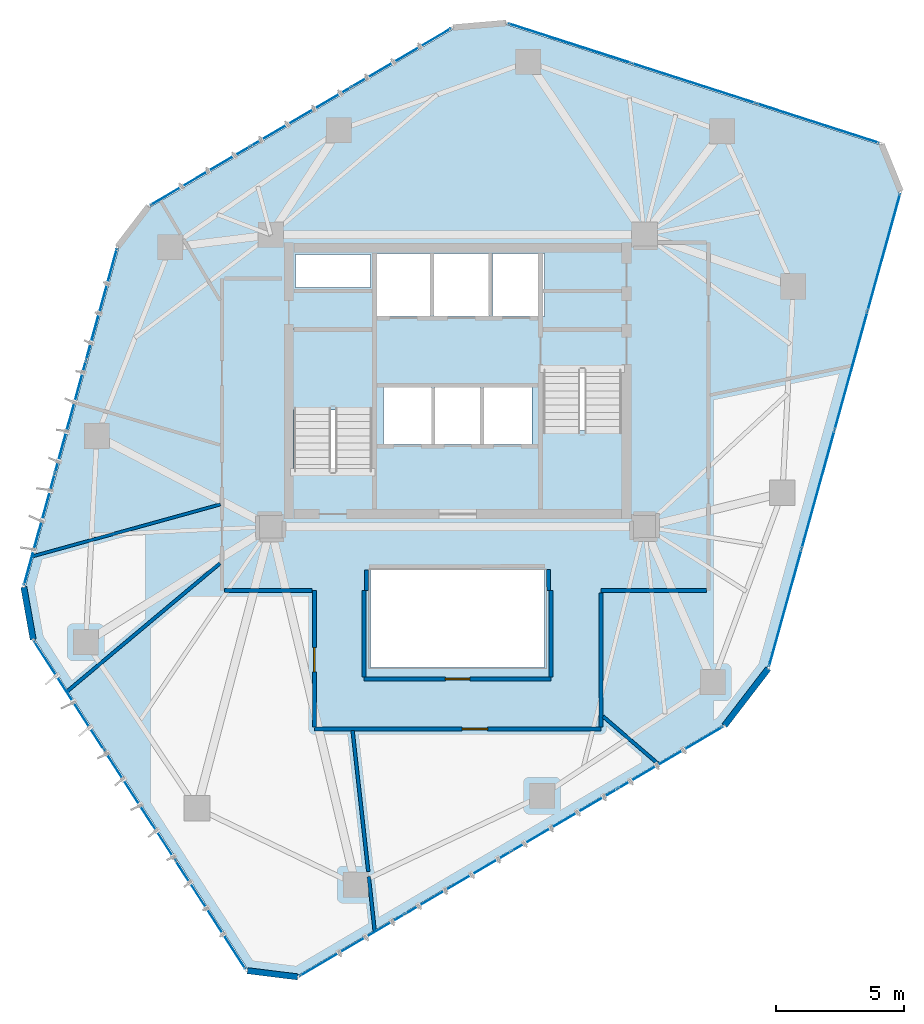
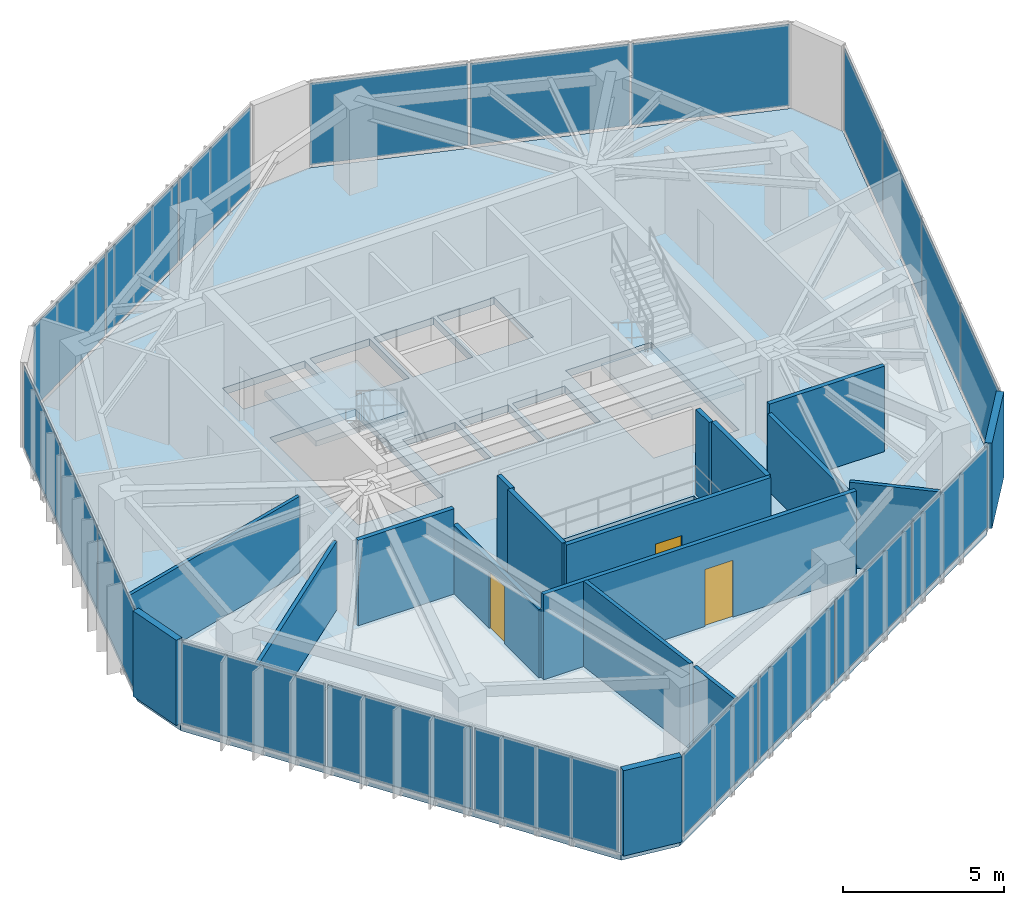
# One storey, part 15 of 19: 20 plates, 18 walls, 3 doors, 3 slabs, 3 openings, 8 elements without a shape of their own.
"""IFC4 building model written with IfcOpenShell, lengths in metres."""

from ifc_helpers import new_model, si_unit, direction, frame, frame_2d, origin, origin_2d, place, context, subcontext, project, spatial, polyline, rectangle, outline, extrude, source, transform, mapped, material, layer, layer_set, type_object, type_shapes, element, fill, aggregate, save


model = new_model("IFC4")

# Units and contexts
model_context = context("Model", 3, precision=1e-05, world=origin(), true_north=direction((0.0, 1.0)))
body_context = subcontext(model_context, "Body", "Model", "MODEL_VIEW")
ifc_project = project(units=[si_unit("LENGTHUNIT", "METRE"), si_unit("AREAUNIT", "SQUARE_METRE"), si_unit("VOLUMEUNIT", "CUBIC_METRE"), si_unit("PLANEANGLEUNIT", "RADIAN"), si_unit("MASSUNIT", "GRAM", prefix="KILO")], contexts=[model_context])

# Site, building, storey
site_placement = place(None, origin())
site = spatial("IfcSite", under=ifc_project, at=site_placement, CompositionType="ELEMENT")
building_placement = place(site_placement, origin())
building = spatial("IfcBuilding", under=site, at=building_placement, Name="Talar Marvaseh", CompositionType="ELEMENT")
storey_placement = place(building_placement, frame((0.0, 0.0, 181.0)))
storey = spatial("IfcBuildingStorey", under=building, at=storey_placement, Name="L47", CompositionType="ELEMENT", Elevation=181.0)

# Stair, slab
ifc_material_1 = material(Name="Concrete C40/50", Category="concrete")
stair_type = type_object("IfcStairType", Name="Reinforced Concrete High-Rise Exit Stair Type C", PredefinedType="HALF_TURN_STAIR", material=ifc_material_1)
stair_1_placement = place(storey_placement, origin())
stair_1 = element("IfcStair", 1, at=stair_1_placement, inside=storey, type_object=stair_type, Name="L47 Tower West Core Exit Stair", PredefinedType="HALF_TURN_STAIR")
ifc_layer_1 = layer(ifc_material_1, 0.199951171875)
ifc_layer_set_1 = layer_set([ifc_layer_1], Name="Concrete C40/50")
slab_type_1 = type_object("IfcSlabType", Name="Reinforced Concrete Stair Half-Landing Slab 200", PredefinedType="LANDING", material=ifc_layer_set_1)
slab_1_placement = place(storey_placement, frame((0.0, 0.0, 1.550048828125)))
slab_1 = element("IfcSlab", 2, at=slab_1_placement, type_object=slab_type_1, Name="ST-1 landing 1", PredefinedType="LANDING", context=body_context, shape_type="SweptSolid", body=[
    extrude(outline(polyline([(22.780029296875, 30.050048828125), (22.780029296875, 33.219970703125), (19.47998046875, 33.219970703125), (19.47998046875, 30.050048828125), (22.780029296875, 30.050048828125)])), origin(), (0.0, 0.0, 1.0), 0.199951171875),
])
aggregate(stair_1, [slab_1])

stair_2_placement = place(storey_placement, origin())
stair_2 = element("IfcStair", 3, at=stair_2_placement, inside=storey, type_object=stair_type, Name="L47 Tower East Core Exit Stair", PredefinedType="HALF_TURN_STAIR")
slab_2_placement = place(storey_placement, frame((0.0, 0.0, 1.550048828125)))
slab_2 = element("IfcSlab", 4, at=slab_2_placement, type_object=slab_type_1, Name="ST-2 landing 1", PredefinedType="LANDING", context=body_context, shape_type="SweptSolid", body=[
    extrude(outline(polyline([(29.219970703125, 29.25), (29.219970703125, 26.080078125), (32.52001953125, 26.080078125), (32.52001953125, 29.25), (29.219970703125, 29.25)])), origin(), (0.0, 0.0, 1.0), 0.199951171875),
])
aggregate(stair_2, [slab_2])

# Slab
ifc_layer_2 = layer(ifc_material_1, 0.27001953125)
ifc_layer_set_2 = layer_set([ifc_layer_2], Name="Concrete C40/50")
slab_type_2 = type_object("IfcSlabType", Name="Structural Suspended Floor Slab 270", PredefinedType="FLOOR", material=ifc_layer_set_2)
slab_3_placement = place(storey_placement, frame((0.0, 0.0, -0.27001953125)))
element("IfcSlab", 5, at=slab_3_placement, inside=storey, type_object=slab_type_2, Name="L47 Tower Floor Slab", PredefinedType="FLOOR", context=body_context, shape_type="SweptSolid", body=[
    extrude(outline(polyline([(19.759521484375, 7.970947265625), (17.796875, 8.214599609375), (9.477294921875, 21.101318359375), (9.110107421875, 23.1572265625), (12.763916015625, 36.393798828125), (13.9833984375, 37.983154296875), (25.8232421875, 44.9384765625), (27.904296875, 45.115966796875), (42.50537109375, 40.4150390625), (43.24853515625, 38.582275390625), (38.091064453125, 19.996337890625), (36.377197265625, 17.762939453125), (19.759521484375, 7.970947265625)]), holes=[polyline([(22.659912109375, 27.64990234375), (22.659912109375, 33.10009765625), (19.60009765625, 33.10009765625), (19.60009765625, 27.64990234375), (22.659912109375, 27.64990234375)]), polyline([(29.340087890625, 31.64990234375), (29.340087890625, 26.199951171875), (32.39990234375, 26.199951171875), (32.39990234375, 31.64990234375), (29.340087890625, 31.64990234375)]), polyline([(22.800048828125, 33.719970703125), (24.93994140625, 33.719970703125), (24.93994140625, 36.179931640625), (22.800048828125, 36.179931640625), (22.800048828125, 33.719970703125)]), polyline([(25.080078125, 33.719970703125), (27.219970703125, 33.719970703125), (27.219970703125, 36.179931640625), (25.080078125, 36.179931640625), (25.080078125, 33.719970703125)]), polyline([(27.360107421875, 33.719970703125), (29.39990234375, 33.719970703125), (29.39990234375, 36.179931640625), (27.360107421875, 36.179931640625), (27.360107421875, 33.719970703125)]), polyline([(23.10009765625, 28.719970703125), (24.97998046875, 28.719970703125), (24.97998046875, 30.93994140625), (23.10009765625, 30.93994140625), (23.10009765625, 28.719970703125)]), polyline([(25.1201171875, 28.719970703125), (26.8798828125, 28.719970703125), (26.8798828125, 30.93994140625), (25.1201171875, 30.93994140625), (25.1201171875, 28.719970703125)]), polyline([(27.02001953125, 28.719970703125), (28.89990234375, 28.719970703125), (28.89990234375, 30.93994140625), (27.02001953125, 30.93994140625), (27.02001953125, 28.719970703125)]), polyline([(19.659912109375, 34.840087890625), (22.60009765625, 34.840087890625), (22.60009765625, 36.139892578125), (19.659912109375, 36.139892578125), (19.659912109375, 34.840087890625)]), polyline([(22.60009765625, 20.0), (29.39990234375, 20.0), (29.39990234375, 23.800048828125), (22.60009765625, 23.800048828125), (22.60009765625, 20.0)])]), origin(), (0.0, 0.0, 1.0), 0.27001953125),
])

# Curtain wall, plates
ifc_material_2 = material(Name="Architectural Aluminium", Category="aluminium")
ifc_layer_3 = layer(ifc_material_2, 0.18994140625)
ifc_layer_set_3 = layer_set([ifc_layer_3], Name="Architectural Aluminium")
curtain_wall_type = type_object("IfcCurtainWallType", Name="Unitised Solar Atelier Curtain Wall Z3", PredefinedType="NOTDEFINED", material=ifc_layer_set_3)
curtain_wall_1_placement = place(storey_placement, origin())
curtain_wall_1 = element("IfcCurtainWall", 6, at=curtain_wall_1_placement, inside=storey, type_object=curtain_wall_type, Name="L47 Unitised Solar Atelier Curtain Wall Z3", PredefinedType="NOTDEFINED")
ifc_material_3 = material(Name="Laminated Low-E Solar Glass", Category="glass")
ifc_layer_4 = layer(ifc_material_3, 0.028076171875)
ifc_layer_set_4 = layer_set([ifc_layer_4], Name="Laminated Low-E Solar Glass")
plate_type = type_object("IfcPlateType", Name="Double-Glazed Low-E Vision Curtain Panel 28", PredefinedType="CURTAIN_PANEL", material=ifc_layer_set_4)
shared_shape_1 = source(origin(), body_context, "Body", "SweptSolid", [
    extrude(rectangle(XDim=5.00048828125, YDim=0.028076171875, at=origin_2d()), origin(), (0.0, 0.0, 1.0), 3.080078125),
])
plate_1_placement = place(storey_placement, frame((16.349609375, 10.345458984375, 0.074951171875), z_axis=(0.0, 0.0, 1.0), x_axis=(-0.542386260417, 0.840129242743, 0.0)))
plate_1 = element("IfcPlate", 7, at=plate_1_placement, type_object=plate_type, Name="CW-Z3 panel 1.1", PredefinedType="CURTAIN_PANEL", context=body_context, shape_type="MappedRepresentation", body=[
    mapped(shared_shape_1, transform((0.0, 0.0, 0.0), x_axis=(1.0, 0.0, 0.0), y_axis=(0.0, 1.0, 0.0), z_axis=(0.0, 0.0, 1.0), scale=1.0)),
])
plate_2_placement = place(storey_placement, frame((10.823486328125, 18.9052734375, 0.074951171875), z_axis=(0.0, 0.0, 1.0), x_axis=(-0.542386260417, 0.840129242743, 0.0)))
plate_2 = element("IfcPlate", 8, at=plate_2_placement, type_object=plate_type, Name="CW-Z3 panel 3.1", PredefinedType="CURTAIN_PANEL", context=body_context, shape_type="MappedRepresentation", body=[
    mapped(shared_shape_1, transform((0.0, 0.0, 0.0), x_axis=(1.0, 0.0, 0.0), y_axis=(0.0, 1.0, 0.0), z_axis=(0.0, 0.0, 1.0), scale=1.0)),
])

curtain_wall_2_placement = place(storey_placement, origin())
curtain_wall_2 = element("IfcCurtainWall", 9, at=curtain_wall_2_placement, inside=storey, type_object=curtain_wall_type, Name="L47 Unitised Solar Atelier Curtain Wall Z3", PredefinedType="NOTDEFINED")
plate_3_placement = place(storey_placement, frame((30.3740234375, 44.3837890625, 0.074951171875), z_axis=(0.0, 0.0, 1.0), x_axis=(0.951881801809, -0.306465390191, 0.0)))
plate_3 = element("IfcPlate", 10, at=plate_3_placement, type_object=plate_type, Name="CW-Z3 panel 1.1", PredefinedType="CURTAIN_PANEL", context=body_context, shape_type="MappedRepresentation", body=[
    mapped(shared_shape_1, transform((0.0, 0.0, 0.0), x_axis=(1.0, 0.0, 0.0), y_axis=(0.0, 1.0, 0.0), z_axis=(0.0, 0.0, 1.0), scale=1.0)),
])
plate_4_placement = place(storey_placement, frame((40.072265625, 41.26123046875, 0.074951171875), z_axis=(0.0, 0.0, 1.0), x_axis=(0.951881801809, -0.306465390191, 0.0)))
plate_4 = element("IfcPlate", 11, at=plate_4_placement, type_object=plate_type, Name="CW-Z3 panel 3.1", PredefinedType="CURTAIN_PANEL", context=body_context, shape_type="MappedRepresentation", body=[
    mapped(shared_shape_1, transform((0.0, 0.0, 0.0), x_axis=(1.0, 0.0, 0.0), y_axis=(0.0, 1.0, 0.0), z_axis=(0.0, 0.0, 1.0), scale=1.0)),
])

# Plate
shared_shape_2 = source(origin(), body_context, "Body", "SweptSolid", [
    extrude(rectangle(XDim=5.0380859375, YDim=0.028076171875, at=origin_2d()), origin(), (0.0, 0.0, 1.0), 3.080078125),
])
plate_5_placement = place(storey_placement, frame((13.586669921875, 14.62548828125, 0.074951171875), z_axis=(0.0, 0.0, 1.0), x_axis=(-0.542386260417, 0.840129242743, 0.0)))
plate_5 = element("IfcPlate", 12, at=plate_5_placement, type_object=plate_type, Name="CW-Z3 panel 2.1", PredefinedType="CURTAIN_PANEL", context=body_context, shape_type="MappedRepresentation", body=[
    mapped(shared_shape_2, transform((0.0, 0.0, 0.0), x_axis=(1.0, 0.0, 0.0), y_axis=(0.0, 1.0, 0.0), z_axis=(0.0, 0.0, 1.0), scale=1.0)),
])

aggregate(curtain_wall_1, [plate_1, plate_5, plate_2])

plate_6_placement = place(storey_placement, frame((35.22314453125, 42.822509765625, 0.074951171875), z_axis=(0.0, 0.0, 1.0), x_axis=(0.951881801809, -0.306465390191, 0.0)))
plate_6 = element("IfcPlate", 13, at=plate_6_placement, type_object=plate_type, Name="CW-Z3 panel 2.1", PredefinedType="CURTAIN_PANEL", context=body_context, shape_type="MappedRepresentation", body=[
    mapped(shared_shape_2, transform((0.0, 0.0, 0.0), x_axis=(1.0, 0.0, 0.0), y_axis=(0.0, 1.0, 0.0), z_axis=(0.0, 0.0, 1.0), scale=1.0)),
])

aggregate(curtain_wall_2, [plate_3, plate_6, plate_4])

# Curtain wall, plates
curtain_wall_3_placement = place(storey_placement, origin())
curtain_wall_3 = element("IfcCurtainWall", 14, at=curtain_wall_3_placement, inside=storey, type_object=curtain_wall_type, Name="L47 Unitised Solar Atelier Curtain Wall Z3", PredefinedType="NOTDEFINED")
shared_shape_3 = source(origin(), body_context, "Body", "SweptSolid", [
    extrude(rectangle(XDim=4.46484375, YDim=0.028076171875, at=origin_2d()), origin(), (0.0, 0.0, 1.0), 3.080078125),
])
plate_7_placement = place(storey_placement, frame((9.666259765625, 25.3974609375, 0.074951171875), z_axis=(0.0, 0.0, 1.0), x_axis=(0.266099813091, 0.96394548055, 0.0)))
plate_7 = element("IfcPlate", 15, at=plate_7_placement, type_object=plate_type, Name="CW-Z3 panel 1.1", PredefinedType="CURTAIN_PANEL", context=body_context, shape_type="MappedRepresentation", body=[
    mapped(shared_shape_3, transform((0.0, 0.0, 0.0), x_axis=(1.0, 0.0, 0.0), y_axis=(0.0, 1.0, 0.0), z_axis=(0.0, 0.0, 1.0), scale=1.0)),
])
plate_8_placement = place(storey_placement, frame((12.09228515625, 34.185791015625, 0.074951171875), z_axis=(0.0, 0.0, 1.0), x_axis=(0.266099813091, 0.96394548055, 0.0)))
plate_8 = element("IfcPlate", 16, at=plate_8_placement, type_object=plate_type, Name="CW-Z3 panel 3.1", PredefinedType="CURTAIN_PANEL", context=body_context, shape_type="MappedRepresentation", body=[
    mapped(shared_shape_3, transform((0.0, 0.0, 0.0), x_axis=(1.0, 0.0, 0.0), y_axis=(0.0, 1.0, 0.0), z_axis=(0.0, 0.0, 1.0), scale=1.0)),
])

curtain_wall_4_placement = place(storey_placement, origin())
curtain_wall_4 = element("IfcCurtainWall", 17, at=curtain_wall_4_placement, inside=storey, type_object=curtain_wall_type, Name="L47 Unitised Solar Atelier Curtain Wall Z3", PredefinedType="NOTDEFINED")
plate_9_placement = place(storey_placement, frame((15.9423828125, 39.20361328125, 0.074951171875), z_axis=(0.0, 0.0, 1.0), x_axis=(0.862231541599, 0.506514332148, 0.0)))
plate_9 = element("IfcPlate", 18, at=plate_9_placement, type_object=plate_type, Name="CW-Z3 panel 1.1", PredefinedType="CURTAIN_PANEL", context=body_context, shape_type="MappedRepresentation", body=[
    mapped(shared_shape_3, transform((0.0, 0.0, 0.0), x_axis=(1.0, 0.0, 0.0), y_axis=(0.0, 1.0, 0.0), z_axis=(0.0, 0.0, 1.0), scale=1.0)),
])
plate_10_placement = place(storey_placement, frame((23.803466796875, 43.8212890625, 0.074951171875), z_axis=(0.0, 0.0, 1.0), x_axis=(0.862231541599, 0.506514332148, 0.0)))
plate_10 = element("IfcPlate", 19, at=plate_10_placement, type_object=plate_type, Name="CW-Z3 panel 3.1", PredefinedType="CURTAIN_PANEL", context=body_context, shape_type="MappedRepresentation", body=[
    mapped(shared_shape_3, transform((0.0, 0.0, 0.0), x_axis=(1.0, 0.0, 0.0), y_axis=(0.0, 1.0, 0.0), z_axis=(0.0, 0.0, 1.0), scale=1.0)),
])

# Plate
shared_shape_4 = source(origin(), body_context, "Body", "SweptSolid", [
    extrude(rectangle(XDim=4.502197265625, YDim=0.028076171875, at=origin_2d()), origin(), (0.0, 0.0, 1.0), 3.080078125),
])
plate_11_placement = place(storey_placement, frame((10.879150390625, 29.79150390625, 0.074951171875), z_axis=(0.0, 0.0, 1.0), x_axis=(0.266099813091, 0.96394548055, 0.0)))
plate_11 = element("IfcPlate", 20, at=plate_11_placement, type_object=plate_type, Name="CW-Z3 panel 2.1", PredefinedType="CURTAIN_PANEL", context=body_context, shape_type="MappedRepresentation", body=[
    mapped(shared_shape_4, transform((0.0, 0.0, 0.0), x_axis=(1.0, 0.0, 0.0), y_axis=(0.0, 1.0, 0.0), z_axis=(0.0, 0.0, 1.0), scale=1.0)),
])

aggregate(curtain_wall_3, [plate_7, plate_11, plate_8])

plate_12_placement = place(storey_placement, frame((19.873046875, 41.512451171875, 0.074951171875), z_axis=(0.0, 0.0, 1.0), x_axis=(0.862231541599, 0.506514332148, 0.0)))
plate_12 = element("IfcPlate", 21, at=plate_12_placement, type_object=plate_type, Name="CW-Z3 panel 2.1", PredefinedType="CURTAIN_PANEL", context=body_context, shape_type="MappedRepresentation", body=[
    mapped(shared_shape_4, transform((0.0, 0.0, 0.0), x_axis=(1.0, 0.0, 0.0), y_axis=(0.0, 1.0, 0.0), z_axis=(0.0, 0.0, 1.0), scale=1.0)),
])

aggregate(curtain_wall_4, [plate_9, plate_12, plate_10])

# Curtain wall, plates
curtain_wall_5_placement = place(storey_placement, origin())
curtain_wall_5 = element("IfcCurtainWall", 22, at=curtain_wall_5_placement, inside=storey, type_object=curtain_wall_type, Name="L47 Unitised Solar Atelier Curtain Wall Z3", PredefinedType="NOTDEFINED")
shared_shape_5 = source(origin(), body_context, "Body", "SweptSolid", [
    extrude(rectangle(XDim=4.70947265625, YDim=0.028076171875, at=origin_2d()), origin(), (0.0, 0.0, 1.0), 3.080078125),
])
plate_13_placement = place(storey_placement, frame((42.656494140625, 36.22509765625, 0.074951171875), z_axis=(0.0, 0.0, 1.0), x_axis=(-0.267386351536, -0.963589403746, 0.0)))
plate_13 = element("IfcPlate", 23, at=plate_13_placement, type_object=plate_type, Name="CW-Z3 panel 1.1", PredefinedType="CURTAIN_PANEL", context=body_context, shape_type="MappedRepresentation", body=[
    mapped(shared_shape_5, transform((0.0, 0.0, 0.0), x_axis=(1.0, 0.0, 0.0), y_axis=(0.0, 1.0, 0.0), z_axis=(0.0, 0.0, 1.0), scale=1.0)),
])
plate_14_placement = place(storey_placement, frame((38.798583984375, 22.32177734375, 0.074951171875), z_axis=(0.0, 0.0, 1.0), x_axis=(-0.267386351536, -0.963589403746, 0.0)))
plate_14 = element("IfcPlate", 24, at=plate_14_placement, type_object=plate_type, Name="CW-Z3 panel 4.1", PredefinedType="CURTAIN_PANEL", context=body_context, shape_type="MappedRepresentation", body=[
    mapped(shared_shape_5, transform((0.0, 0.0, 0.0), x_axis=(1.0, 0.0, 0.0), y_axis=(0.0, 1.0, 0.0), z_axis=(0.0, 0.0, 1.0), scale=1.0)),
])

curtain_wall_6_placement = place(storey_placement, origin())
curtain_wall_6 = element("IfcCurtainWall", 25, at=curtain_wall_6_placement, inside=storey, type_object=curtain_wall_type, Name="L47 Unitised Solar Atelier Curtain Wall Z3", PredefinedType="NOTDEFINED")
plate_15_placement = place(storey_placement, frame((34.314453125, 16.477783203125, 0.074951171875), z_axis=(0.0, 0.0, 1.0), x_axis=(-0.861549192396, -0.507674097312, 0.0)))
plate_15 = element("IfcPlate", 26, at=plate_15_placement, type_object=plate_type, Name="CW-Z3 panel 1.1", PredefinedType="CURTAIN_PANEL", context=body_context, shape_type="MappedRepresentation", body=[
    mapped(shared_shape_5, transform((0.0, 0.0, 0.0), x_axis=(1.0, 0.0, 0.0), y_axis=(0.0, 1.0, 0.0), z_axis=(0.0, 0.0, 1.0), scale=1.0)),
])
plate_16_placement = place(storey_placement, frame((21.883544921875, 9.15283203125, 0.074951171875), z_axis=(0.0, 0.0, 1.0), x_axis=(-0.861549192396, -0.507674097312, 0.0)))
plate_16 = element("IfcPlate", 27, at=plate_16_placement, type_object=plate_type, Name="CW-Z3 panel 4.1", PredefinedType="CURTAIN_PANEL", context=body_context, shape_type="MappedRepresentation", body=[
    mapped(shared_shape_5, transform((0.0, 0.0, 0.0), x_axis=(1.0, 0.0, 0.0), y_axis=(0.0, 1.0, 0.0), z_axis=(0.0, 0.0, 1.0), scale=1.0)),
])

# Plate
shared_shape_6 = source(origin(), body_context, "Body", "SweptSolid", [
    extrude(rectangle(XDim=4.7470703125, YDim=0.028076171875, at=origin_2d()), origin(), (0.0, 0.0, 1.0), 3.080078125),
])
type_shapes(plate_type, [shared_shape_1, shared_shape_2, shared_shape_3, shared_shape_4, shared_shape_5, shared_shape_6])
plate_17_placement = place(storey_placement, frame((41.372314453125, 31.5966796875, 0.074951171875), z_axis=(0.0, 0.0, 1.0), x_axis=(-0.267386351536, -0.963589403746, 0.0)))
plate_17 = element("IfcPlate", 28, at=plate_17_placement, type_object=plate_type, Name="CW-Z3 panel 2.1", PredefinedType="CURTAIN_PANEL", context=body_context, shape_type="MappedRepresentation", body=[
    mapped(shared_shape_6, transform((0.0, 0.0, 0.0), x_axis=(1.0, 0.0, 0.0), y_axis=(0.0, 1.0, 0.0), z_axis=(0.0, 0.0, 1.0), scale=1.0)),
])

plate_18_placement = place(storey_placement, frame((40.0830078125, 26.9501953125, 0.074951171875), z_axis=(0.0, 0.0, 1.0), x_axis=(-0.267386351536, -0.963589403746, 0.0)))
plate_18 = element("IfcPlate", 29, at=plate_18_placement, type_object=plate_type, Name="CW-Z3 panel 3.1", PredefinedType="CURTAIN_PANEL", context=body_context, shape_type="MappedRepresentation", body=[
    mapped(shared_shape_6, transform((0.0, 0.0, 0.0), x_axis=(1.0, 0.0, 0.0), y_axis=(0.0, 1.0, 0.0), z_axis=(0.0, 0.0, 1.0), scale=1.0)),
])

aggregate(curtain_wall_5, [plate_13, plate_17, plate_18, plate_14])

plate_19_placement = place(storey_placement, frame((30.17626953125, 14.039306640625, 0.074951171875), z_axis=(0.0, 0.0, 1.0), x_axis=(-0.861549192396, -0.507674097312, 0.0)))
plate_19 = element("IfcPlate", 30, at=plate_19_placement, type_object=plate_type, Name="CW-Z3 panel 2.1", PredefinedType="CURTAIN_PANEL", context=body_context, shape_type="MappedRepresentation", body=[
    mapped(shared_shape_6, transform((0.0, 0.0, 0.0), x_axis=(1.0, 0.0, 0.0), y_axis=(0.0, 1.0, 0.0), z_axis=(0.0, 0.0, 1.0), scale=1.0)),
])

plate_20_placement = place(storey_placement, frame((26.021728515625, 11.59130859375, 0.074951171875), z_axis=(0.0, 0.0, 1.0), x_axis=(-0.861549192396, -0.507674097312, 0.0)))
plate_20 = element("IfcPlate", 31, at=plate_20_placement, type_object=plate_type, Name="CW-Z3 panel 3.1", PredefinedType="CURTAIN_PANEL", context=body_context, shape_type="MappedRepresentation", body=[
    mapped(shared_shape_6, transform((0.0, 0.0, 0.0), x_axis=(1.0, 0.0, 0.0), y_axis=(0.0, 1.0, 0.0), z_axis=(0.0, 0.0, 1.0), scale=1.0)),
])

aggregate(curtain_wall_6, [plate_15, plate_19, plate_20, plate_16])

# Walls
ifc_material_4 = material(Name="Precast concrete C45/55", Category="concrete")
ifc_layer_5 = layer(ifc_material_4, 0.239990234375)
ifc_layer_set_5 = layer_set([ifc_layer_5], Name="Precast concrete C45/55")
wall_type_1 = type_object("IfcWallType", Name="Chamfered Hexagonal Corner Pier Wall Z3 240", PredefinedType="SOLIDWALL", material=ifc_layer_set_5)
wall_1_placement = place(storey_placement, frame((19.752197265625, 7.911376953125, 0.0), z_axis=(0.0, 0.0, 1.0), x_axis=(-0.992381979118, 0.123199056495, 0.0)))
element("IfcWall", 32, at=wall_1_placement, inside=storey, type_object=wall_type_1, Name="L47 Chamfered Corner Limestone Pier 1", PredefinedType="SOLIDWALL", context=body_context, shape_type="SweptSolid", body=[
    extrude(rectangle(XDim=1.977783203125, YDim=0.239990234375, at=frame_2d((0.98876953125, 0.0))), origin(), (0.0, 0.0, 1.0), 3.22998046875),
])
wall_2_placement = place(storey_placement, frame((9.418212890625, 21.0908203125, 0.0), z_axis=(0.0, 0.0, 1.0), x_axis=(-0.175932244244, 0.984402278256, 0.0)))
element("IfcWall", 33, at=wall_2_placement, inside=storey, type_object=wall_type_1, Name="L47 Chamfered Corner Limestone Pier 2", PredefinedType="SOLIDWALL", context=body_context, shape_type="SweptSolid", body=[
    extrude(rectangle(XDim=2.08837890625, YDim=0.239990234375, at=frame_2d((1.044189453125, 0.0))), origin(), (0.0, 0.0, 1.0), 3.22998046875),
])
wall_3_placement = place(storey_placement, frame((38.138671875, 19.9599609375, 0.0), z_axis=(0.0, 0.0, 1.0), x_axis=(-0.608788322782, -0.793332703249, 0.0)))
element("IfcWall", 34, at=wall_3_placement, inside=storey, type_object=wall_type_1, Name="L47 Chamfered Corner Limestone Pier 6", PredefinedType="SOLIDWALL", context=body_context, shape_type="SweptSolid", body=[
    extrude(rectangle(XDim=2.815185546875, YDim=0.239990234375, at=frame_2d((1.40771484375, 0.0))), origin(), (0.0, 0.0, 1.0), 3.22998046875),
])

# Wall, opening, door
ifc_material_5 = material(Name="Gypsum Board Partition Assembly")
ifc_layer_6 = layer(ifc_material_5, 0.155029296875)
ifc_layer_set_6 = layer_set([ifc_layer_6], Name="Gypsum Board Partition Assembly")
wall_type_2 = type_object("IfcWallType", Name="Corridor Fire-Rated Acoustic Partition 155", PredefinedType="PARTITIONING", material=ifc_layer_set_6)
wall_4_placement = place(storey_placement, frame((31.60009765625, 17.60009765625, 0.0), z_axis=(0.0, 0.0, 1.0), x_axis=(-1.0, 0.0, 0.0)))
wall_4 = element("IfcWall", 35, at=wall_4_placement, inside=storey, type_object=wall_type_2, Name="L47 Interior Partition Wall", PredefinedType="PARTITIONING", context=body_context, shape_type="SweptSolid", body=[
    extrude(rectangle(XDim=11.2001953125, YDim=0.155029296875, at=frame_2d((5.60009765625, 0.0))), origin(), (0.0, 0.0, 1.0), 3.22998046875),
])
opening_1_placement = place(wall_4_placement, frame((4.42333984375, 0.0, 0.0)))
opening_1 = element("IfcOpeningElement", 36, at=opening_1_placement, cuts=wall_4, Name="Opening DR-RM100", PredefinedType="OPENING", context=body_context, shape_type="SweptSolid", body=[
    extrude(rectangle(XDim=1.0, YDim=2.14990234375, at=frame_2d((0.5, 1.074951171875))), frame((0.0, 0.08740234375, 0.0), z_axis=(0.0, -1.0, 0.0), x_axis=(1.0, 0.0, 0.0)), (0.0, 0.0, 1.0), 0.175048828125),
])
ifc_material_6 = material(Name="Acoustic Engineered Oak Timber", Category="wood")
door_type_1 = type_object("IfcDoorType", Name="Corridor Fire-Rated Gallery Door 1000x2150", OperationType="NOTDEFINED", PredefinedType="DOOR", material=ifc_material_6)
shared_shape_7 = source(origin(), body_context, "Body", "SweptSolid", [
    extrude(rectangle(XDim=1.0, YDim=2.14990234375, at=frame_2d((0.5, 1.074951171875))), frame((0.0, 0.02490234375, 0.0), z_axis=(0.0, -1.0, 0.0), x_axis=(1.0, 0.0, 0.0)), (0.0, 0.0, 1.0), 0.050048828125),
])
type_shapes(door_type_1, [shared_shape_7])
door_1_placement = place(opening_1_placement, origin())
door_1 = element("IfcDoor", 37, at=door_1_placement, inside=storey, type_object=door_type_1, Name="L47 Colloquium Boardroom Door", OperationType="SINGLE_SWING_RIGHT", OverallHeight=2.14990234375, OverallWidth=1.0, PredefinedType="DOOR", context=body_context, shape_type="MappedRepresentation", body=[
    mapped(shared_shape_7, transform((0.0, 0.0, 0.0), x_axis=(1.0, 0.0, 0.0), y_axis=(0.0, 1.0, 0.0), z_axis=(0.0, 0.0, 1.0), scale=1.0)),
])
fill(opening_1, door_1)

wall_5_placement = place(storey_placement, frame((20.39990234375, 17.68359375, 0.0), z_axis=(0.0, 0.0, 1.0), x_axis=(0.0, 1.0, 0.0)))
wall_5 = element("IfcWall", 38, at=wall_5_placement, inside=storey, type_object=wall_type_2, Name="L47 Interior Partition Wall", PredefinedType="PARTITIONING", context=body_context, shape_type="SweptSolid", body=[
    extrude(rectangle(XDim=5.31640625, YDim=0.155029296875, at=frame_2d((2.658203125, 0.0))), origin(), (0.0, 0.0, 1.0), 2.589111328125),
])
opening_2_placement = place(wall_5_placement, frame((2.1416015625, 0.0, 0.0)))
opening_2 = element("IfcOpeningElement", 39, at=opening_2_placement, cuts=wall_5, Name="Opening DR-WC095", PredefinedType="OPENING", context=body_context, shape_type="SweptSolid", body=[
    extrude(rectangle(XDim=0.949951171875, YDim=2.14990234375, at=frame_2d((0.47509765625, 1.074951171875))), frame((0.0, 0.08740234375, 0.0), z_axis=(0.0, -1.0, 0.0), x_axis=(1.0, 0.0, 0.0)), (0.0, 0.0, 1.0), 0.175048828125),
])
door_type_2 = type_object("IfcDoorType", Name="Washroom and Service Room Door 950x2150", OperationType="NOTDEFINED", PredefinedType="DOOR", material=ifc_material_6)
shared_shape_8 = source(origin(), body_context, "Body", "SweptSolid", [
    extrude(rectangle(XDim=0.949951171875, YDim=2.14990234375, at=frame_2d((0.47509765625, 1.074951171875))), frame((0.0, 0.02490234375, 0.0), z_axis=(0.0, -1.0, 0.0), x_axis=(1.0, 0.0, 0.0)), (0.0, 0.0, 1.0), 0.050048828125),
])
type_shapes(door_type_2, [shared_shape_8])
door_2_placement = place(opening_2_placement, origin())
door_2 = element("IfcDoor", 40, at=door_2_placement, inside=storey, type_object=door_type_2, Name="L47 Rare Books Archive Room Door", OperationType="SINGLE_SWING_RIGHT", OverallHeight=2.14990234375, OverallWidth=0.949951171875, PredefinedType="DOOR", context=body_context, shape_type="MappedRepresentation", body=[
    mapped(shared_shape_8, transform((0.0, 0.0, 0.0), x_axis=(1.0, 0.0, 0.0), y_axis=(0.0, 1.0, 0.0), z_axis=(0.0, 0.0, 1.0), scale=1.0)),
])
fill(opening_2, door_2)

wall_6_placement = place(storey_placement, frame((22.35009765625, 19.550048828125, 0.0), z_axis=(0.0, 0.0, 1.0), x_axis=(1.0, 0.0, 0.0)))
wall_6 = element("IfcWall", 41, at=wall_6_placement, inside=storey, type_object=wall_type_2, Name="L47 Interior Partition Wall", PredefinedType="PARTITIONING", context=body_context, shape_type="SweptSolid", body=[
    extrude(rectangle(XDim=7.2998046875, YDim=0.155029296875, at=frame_2d((3.64990234375, 0.0))), origin(), (0.0, 0.0, 1.0), 3.22998046875),
])
opening_3_placement = place(wall_6_placement, frame((3.175048828125, 0.0, 0.0)))
opening_3 = element("IfcOpeningElement", 42, at=opening_3_placement, cuts=wall_6, Name="Opening DR-WC095", PredefinedType="OPENING", context=body_context, shape_type="SweptSolid", body=[
    extrude(rectangle(XDim=0.949951171875, YDim=2.14990234375, at=frame_2d((0.47509765625, 1.074951171875))), frame((0.0, 0.08740234375, 0.0), z_axis=(0.0, -1.0, 0.0), x_axis=(1.0, 0.0, 0.0)), (0.0, 0.0, 1.0), 0.175048828125),
])
door_3_placement = place(opening_3_placement, origin())
door_3 = element("IfcDoor", 43, at=door_3_placement, inside=storey, type_object=door_type_2, Name="L47 WC Public Washrooms Door", OperationType="SINGLE_SWING_LEFT", OverallHeight=2.14990234375, OverallWidth=0.949951171875, PredefinedType="DOOR", context=body_context, shape_type="MappedRepresentation", body=[
    mapped(shared_shape_8, transform((0.0, 0.0, 0.0), x_axis=(1.0, 0.0, 0.0), y_axis=(0.0, 1.0, 0.0), z_axis=(0.0, 0.0, 1.0), scale=1.0)),
])
fill(opening_3, door_3)

# Walls
wall_7_placement = place(storey_placement, frame((35.716552734375, 23.0, 0.0), z_axis=(0.0, 0.0, 1.0), x_axis=(-1.0, 0.0, 0.0)))
element("IfcWall", 44, at=wall_7_placement, inside=storey, type_object=wall_type_2, Name="L47 Interior Partition Wall", PredefinedType="PARTITIONING", context=body_context, shape_type="SweptSolid", body=[
    extrude(rectangle(XDim=4.116455078125, YDim=0.155029296875, at=frame_2d((2.05810546875, 0.0))), origin(), (0.0, 0.0, 1.0), 3.22998046875),
])
wall_8_placement = place(storey_placement, frame((31.60009765625, 22.91650390625, 0.0), z_axis=(0.0, 0.0, 1.0), x_axis=(0.0, -1.0, 0.0)))
element("IfcWall", 45, at=wall_8_placement, inside=storey, type_object=wall_type_2, Name="L47 Interior Partition Wall", PredefinedType="PARTITIONING", context=body_context, shape_type="SweptSolid", body=[
    extrude(rectangle(XDim=5.23291015625, YDim=0.155029296875, at=frame_2d((2.616455078125, 0.0))), origin(), (0.0, 0.0, 1.0), 2.89208984375),
])
wall_9_placement = place(storey_placement, frame((20.31640625, 23.0, 0.0), z_axis=(0.0, 0.0, 1.0), x_axis=(-1.0, 0.0, 0.0)))
element("IfcWall", 46, at=wall_9_placement, inside=storey, type_object=wall_type_2, Name="L47 Interior Partition Wall", PredefinedType="PARTITIONING", context=body_context, shape_type="SweptSolid", body=[
    extrude(rectangle(XDim=3.432861328125, YDim=0.155029296875, at=frame_2d((1.71630859375, 0.0))), origin(), (0.0, 0.0, 1.0), 3.22998046875),
])
wall_10_placement = place(storey_placement, frame((22.44091796875, 23.815673828125, 0.0), z_axis=(0.0, 0.0, 1.0), x_axis=(-0.001197245475, -0.999999283301, 0.0)))
element("IfcWall", 47, at=wall_10_placement, inside=storey, type_object=wall_type_2, Name="L47 Interior Partition Wall", PredefinedType="PARTITIONING", context=body_context, shape_type="SweptSolid", body=[
    extrude(rectangle(XDim=0.815673828125, YDim=0.155029296875, at=frame_2d((0.40771484375, 0.0))), origin(), (0.0, 0.0, 1.0), 3.22998046875),
])
for number, where, z_axis, x_axis, name in (
    (48, (22.35009765625, 23.0, 0.0), (0.0, 0.0, 1.0), (0.0, -1.0, 0.0), "L47 Interior Partition Wall"),
    (49, (29.64990234375, 19.633544921875, 0.0), (0.0, 0.0, 1.0), (0.0, 1.0, 0.0), "L47 Interior Partition Wall"),
):
    element("IfcWall", number, at=place(storey_placement, frame(where, z_axis=z_axis, x_axis=x_axis)), inside=storey, type_object=wall_type_2, Name=name, PredefinedType="PARTITIONING", context=body_context, shape_type="SweptSolid", body=[
        extrude(rectangle(XDim=3.366455078125, YDim=0.155029296875, at=frame_2d((1.68310546875, 0.0))), origin(), (0.0, 0.0, 1.0), 3.22998046875),
    ])
wall_11_placement = place(storey_placement, frame((29.56005859375, 23.0, 0.0), z_axis=(0.0, 0.0, 1.0), x_axis=(-0.003817887006, 0.999992711843, 0.0)))
element("IfcWall", 50, at=wall_11_placement, inside=storey, type_object=wall_type_2, Name="L47 Interior Partition Wall", PredefinedType="PARTITIONING", context=body_context, shape_type="SweptSolid", body=[
    extrude(rectangle(XDim=0.831298828125, YDim=0.155029296875, at=frame_2d((0.41552734375, 0.0))), origin(), (0.0, 0.0, 1.0), 3.22998046875),
])
ifc_layer_7 = layer(ifc_material_5, 0.1201171875)
ifc_layer_set_7 = layer_set([ifc_layer_7], Name="Gypsum Board Partition Assembly")
wall_type_3 = type_object("IfcWallType", Name="Demountable Studio Room Partition 120", PredefinedType="PARTITIONING", material=ifc_layer_set_7)
wall_12_placement = place(storey_placement, frame((16.7373046875, 26.372802734375, 0.0), z_axis=(0.0, 0.0, 1.0), x_axis=(-0.963854749889, -0.26642826636, 0.0)))
element("IfcWall", 51, at=wall_12_placement, inside=storey, type_object=wall_type_3, Name="L47 Interior Partition Wall", PredefinedType="PARTITIONING", context=body_context, shape_type="SweptSolid", body=[
    extrude(rectangle(XDim=7.61474609375, YDim=0.1201171875, at=frame_2d((3.807373046875, 0.0))), origin(), (0.0, 0.0, 1.0), 2.89208984375),
])
ifc_layer_8 = layer(ifc_material_5, 0.135009765625)
ifc_layer_set_8 = layer_set([ifc_layer_8], Name="Gypsum Board Partition Assembly")
wall_type_4 = type_object("IfcWallType", Name="Gallery High-Acoustic Partition 135", PredefinedType="PARTITIONING", material=ifc_layer_set_8)
wall_13_placement = place(storey_placement, frame((16.716552734375, 24.070068359375, 0.0), z_axis=(0.0, 0.0, 1.0), x_axis=(-0.766522566732, -0.642217373395, 0.0)))
element("IfcWall", 52, at=wall_13_placement, inside=storey, type_object=wall_type_4, Name="L47 Interior Partition Wall", PredefinedType="PARTITIONING", context=body_context, shape_type="SweptSolid", body=[
    extrude(rectangle(XDim=7.787353515625, YDim=0.135009765625, at=frame_2d((3.8935546875, 0.0))), origin(), (0.0, 0.0, 1.0), 2.589111328125),
])
wall_14_placement = place(storey_placement, frame((21.897216796875, 17.535400390625, 0.0), z_axis=(0.0, 0.0, 1.0), x_axis=(0.11062501833, -0.993862216466, 0.0)))
element("IfcWall", 53, at=wall_14_placement, inside=storey, type_object=wall_type_4, Name="L47 Interior Partition Wall", PredefinedType="PARTITIONING", context=body_context, shape_type="SweptSolid", body=[
    extrude(rectangle(XDim=5.539306640625, YDim=0.135009765625, at=frame_2d((2.76953125, 0.0))), origin(), (0.0, 0.0, 1.0), 3.22998046875),
])
wall_15_placement = place(storey_placement, frame((22.530029296875, 11.830078125, 0.0), z_axis=(0.0, 0.0, 1.0), x_axis=(0.1076094744, -0.994193241286, 0.0)))
element("IfcWall", 54, at=wall_15_placement, inside=storey, type_object=wall_type_4, Name="L47 Interior Partition Wall", PredefinedType="PARTITIONING", context=body_context, shape_type="SweptSolid", body=[
    extrude(rectangle(XDim=2.146240234375, YDim=0.135009765625, at=frame_2d((1.0732421875, 0.0))), origin(), (0.0, 0.0, 1.0), 3.22998046875),
])
wall_16_placement = place(storey_placement, frame((31.68359375, 18.087890625, 0.0), z_axis=(0.0, 0.0, 1.0), x_axis=(0.757506366574, -0.652827775604, 0.0)))
element("IfcWall", 55, at=wall_16_placement, inside=storey, type_object=wall_type_4, Name="L47 Interior Partition Wall", PredefinedType="PARTITIONING", context=body_context, shape_type="SweptSolid", body=[
    extrude(rectangle(XDim=2.85009765625, YDim=0.135009765625, at=frame_2d((1.425048828125, 0.0))), origin(), (0.0, 0.0, 1.0), 3.22998046875),
])

save(model, "model.ifc")
